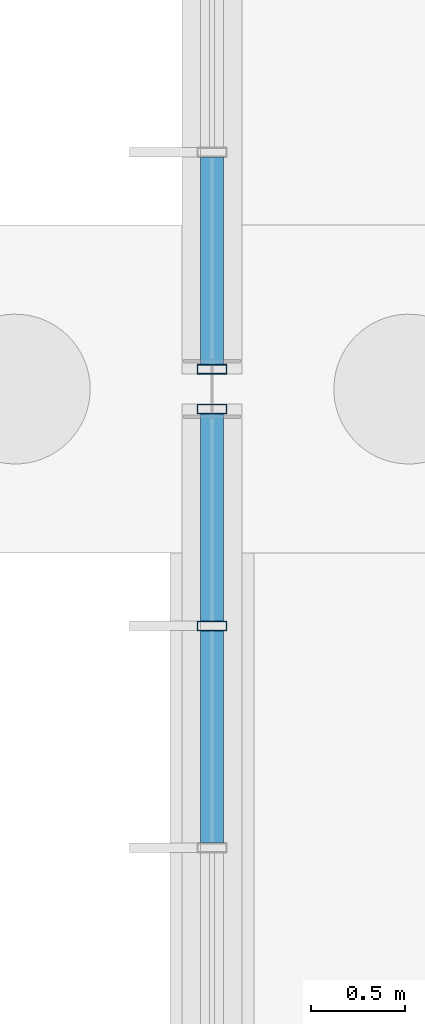
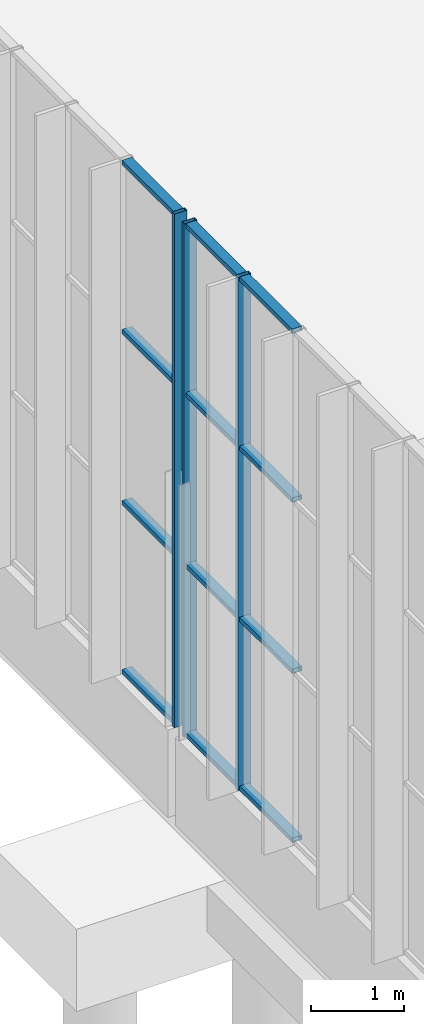
# One storey, part 46 of 136: 15 members, 2 elements without a shape of their own.
"""IFC4 building model written with IfcOpenShell, lengths in metres."""

from ifc_helpers import new_model, si_unit, direction, frame, origin, origin_2d, place, context, subcontext, project, spatial, hollow_rectangle, extrude, material, layer, layer_set, material_profile, profile_set, type_object, element, aggregate, save


model = new_model("IFC4")

# Units and contexts
model_context = context("Model", 3, precision=1e-05, world=origin(), true_north=direction((0.0, 1.0)))
body_context = subcontext(model_context, "Body", "Model", "MODEL_VIEW")
ifc_project = project(units=[si_unit("LENGTHUNIT", "METRE"), si_unit("AREAUNIT", "SQUARE_METRE"), si_unit("VOLUMEUNIT", "CUBIC_METRE"), si_unit("PLANEANGLEUNIT", "RADIAN"), si_unit("MASSUNIT", "GRAM", prefix="KILO")], contexts=[model_context])

# Site, building, storey
site_placement = place(None, origin())
site = spatial("IfcSite", under=ifc_project, at=site_placement, CompositionType="ELEMENT")
building_placement = place(site_placement, origin())
building = spatial("IfcBuilding", under=site, at=building_placement, Name="Solvenia Promenade Tram Depot", CompositionType="ELEMENT")
storey_placement = place(building_placement, origin())
storey = spatial("IfcBuildingStorey", under=building, at=storey_placement, Name="L00", CompositionType="ELEMENT", Elevation=0.0)

# Curtain wall, members
ifc_material = material(Name="Anodized aluminium AW-6063 T6", Category="aluminium")
ifc_layer = layer(ifc_material, 0.159912109375, Name="Anodized aluminium AW-6063 T6", Category="aluminium")
ifc_layer_set = layer_set([ifc_layer], Name="Anodized aluminium AW-6063 T6")
curtain_wall_type = type_object("IfcCurtainWallType", Name="CW-Channel-1200", PredefinedType="NOTDEFINED", material=ifc_layer_set)
curtain_wall_1_placement = place(storey_placement, origin())
curtain_wall_1 = element("IfcCurtainWall", 1, at=curtain_wall_1_placement, inside=storey, type_object=curtain_wall_type, Name="Curtain Wall CW-V1W-02", PredefinedType="NOTDEFINED")
ifc_material_profile_1 = material_profile(ifc_material, hollow_rectangle(XDim=0.159912109375, YDim=0.052001953125, WallThickness=0.00390625, at=origin_2d()), Name="ALU-M1", Category="aluminium")
ifc_profile_set_1 = profile_set([ifc_material_profile_1], Name="Anodized aluminium AW-6063 T6")
member_type_1 = type_object("IfcMemberType", Name="CWM-Mullion-1", PredefinedType="MULLION", material=ifc_profile_set_1)
member_1_placement = place(storey_placement, frame((0.0, 76.736083984375, 1.14990234375), z_axis=(0.0, 0.0, 1.0), x_axis=(-1.0, 0.0, 0.0)))
member_1 = element("IfcMember", 2, at=member_1_placement, type_object=member_type_1, Name="CW-1 mullion 5", PredefinedType="MULLION", context=body_context, shape_type="SweptSolid", body=[
    extrude(hollow_rectangle(XDim=0.159912109375, YDim=0.052001953125, WallThickness=0.00390625, at=origin_2d()), origin(), (0.0, 0.0, 1.0), 6.75),
])
member_2_placement = place(storey_placement, frame((0.0, 77.89404296875, 1.14990234375), z_axis=(0.0, 0.0, 1.0), x_axis=(-1.0, 0.0, 0.0)))
member_2 = element("IfcMember", 3, at=member_2_placement, type_object=member_type_1, Name="CW-1 mullion 6", PredefinedType="MULLION", context=body_context, shape_type="SweptSolid", body=[
    extrude(hollow_rectangle(XDim=0.159912109375, YDim=0.052001953125, WallThickness=0.00390625, at=origin_2d()), origin(), (0.0, 0.0, 1.0), 6.75),
])

# Curtain wall, member
curtain_wall_2_placement = place(storey_placement, origin())
curtain_wall_2 = element("IfcCurtainWall", 4, at=curtain_wall_2_placement, inside=storey, type_object=curtain_wall_type, Name="Curtain Wall CW-V1W-03", PredefinedType="NOTDEFINED")
member_3_placement = place(storey_placement, frame((0.0, 78.10595703125, 1.14990234375), z_axis=(0.0, 0.0, 1.0), x_axis=(-1.0, 0.0, 0.0)))
member_3 = element("IfcMember", 5, at=member_3_placement, type_object=member_type_1, Name="CW-1 mullion 1", PredefinedType="MULLION", context=body_context, shape_type="SweptSolid", body=[
    extrude(hollow_rectangle(XDim=0.159912109375, YDim=0.052001953125, WallThickness=0.00390625, at=origin_2d()), origin(), (0.0, 0.0, 1.0), 6.75),
])

# Member
ifc_material_profile_2 = material_profile(ifc_material, hollow_rectangle(XDim=0.1201171875, YDim=0.06005859375, WallThickness=0.00390625, at=origin_2d()), Name="ALU-T1", Category="aluminium")
ifc_profile_set_2 = profile_set([ifc_material_profile_2], Name="Anodized aluminium AW-6063 T6")
member_type_2 = type_object("IfcMemberType", Name="CWT-Transom-1", PredefinedType="USERDEFINED", material=ifc_profile_set_2)
member_4_placement = place(storey_placement, frame((0.0, 75.577880859375, 1.179931640625), z_axis=(0.0, 1.0, 0.0), x_axis=(-1.0, 0.0, 0.0)))
member_4 = element("IfcMember", 6, at=member_4_placement, type_object=member_type_2, Name="CW-1 transom 4.1", ObjectType="TRANSOM", PredefinedType="USERDEFINED", context=body_context, shape_type="SweptSolid", body=[
    extrude(hollow_rectangle(XDim=0.1201171875, YDim=0.06005859375, WallThickness=0.00390625, at=origin_2d()), origin(), (0.0, 0.0, 1.0), 1.132080078125),
])

member_5_placement = place(storey_placement, frame((0.0, 75.577880859375, 3.39990234375), z_axis=(0.0, 1.0, 0.0), x_axis=(-1.0, 0.0, 0.0)))
member_5 = element("IfcMember", 7, at=member_5_placement, type_object=member_type_2, Name="CW-1 transom 4.2", ObjectType="TRANSOM", PredefinedType="USERDEFINED", context=body_context, shape_type="SweptSolid", body=[
    extrude(hollow_rectangle(XDim=0.1201171875, YDim=0.06005859375, WallThickness=0.00390625, at=origin_2d()), origin(), (0.0, 0.0, 1.0), 1.132080078125),
])

member_6_placement = place(storey_placement, frame((0.0, 75.577880859375, 5.64990234375), z_axis=(0.0, 1.0, 0.0), x_axis=(-1.0, 0.0, 0.0)))
member_6 = element("IfcMember", 8, at=member_6_placement, type_object=member_type_2, Name="CW-1 transom 4.3", ObjectType="TRANSOM", PredefinedType="USERDEFINED", context=body_context, shape_type="SweptSolid", body=[
    extrude(hollow_rectangle(XDim=0.1201171875, YDim=0.06005859375, WallThickness=0.00390625, at=origin_2d()), origin(), (0.0, 0.0, 1.0), 1.132080078125),
])

member_7_placement = place(storey_placement, frame((0.0, 75.577880859375, 7.8701171875), z_axis=(0.0, 1.0, 0.0), x_axis=(-1.0, 0.0, 0.0)))
member_7 = element("IfcMember", 9, at=member_7_placement, type_object=member_type_2, Name="CW-1 transom 4.4", ObjectType="TRANSOM", PredefinedType="USERDEFINED", context=body_context, shape_type="SweptSolid", body=[
    extrude(hollow_rectangle(XDim=0.1201171875, YDim=0.06005859375, WallThickness=0.00390625, at=origin_2d()), origin(), (0.0, 0.0, 1.0), 1.132080078125),
])

member_8_placement = place(storey_placement, frame((0.0, 76.761962890625, 1.179931640625), z_axis=(0.0, 1.0, 0.0), x_axis=(-1.0, 0.0, 0.0)))
member_8 = element("IfcMember", 10, at=member_8_placement, type_object=member_type_2, Name="CW-1 transom 5.1", ObjectType="TRANSOM", PredefinedType="USERDEFINED", context=body_context, shape_type="SweptSolid", body=[
    extrude(hollow_rectangle(XDim=0.1201171875, YDim=0.06005859375, WallThickness=0.00390625, at=origin_2d()), origin(), (0.0, 0.0, 1.0), 1.10595703125),
])

member_9_placement = place(storey_placement, frame((0.0, 76.761962890625, 3.39990234375), z_axis=(0.0, 1.0, 0.0), x_axis=(-1.0, 0.0, 0.0)))
member_9 = element("IfcMember", 11, at=member_9_placement, type_object=member_type_2, Name="CW-1 transom 5.2", ObjectType="TRANSOM", PredefinedType="USERDEFINED", context=body_context, shape_type="SweptSolid", body=[
    extrude(hollow_rectangle(XDim=0.1201171875, YDim=0.06005859375, WallThickness=0.00390625, at=origin_2d()), origin(), (0.0, 0.0, 1.0), 1.10595703125),
])

member_10_placement = place(storey_placement, frame((0.0, 76.761962890625, 5.64990234375), z_axis=(0.0, 1.0, 0.0), x_axis=(-1.0, 0.0, 0.0)))
member_10 = element("IfcMember", 12, at=member_10_placement, type_object=member_type_2, Name="CW-1 transom 5.3", ObjectType="TRANSOM", PredefinedType="USERDEFINED", context=body_context, shape_type="SweptSolid", body=[
    extrude(hollow_rectangle(XDim=0.1201171875, YDim=0.06005859375, WallThickness=0.00390625, at=origin_2d()), origin(), (0.0, 0.0, 1.0), 1.10595703125),
])

member_11_placement = place(storey_placement, frame((0.0, 76.761962890625, 7.8701171875), z_axis=(0.0, 1.0, 0.0), x_axis=(-1.0, 0.0, 0.0)))
member_11 = element("IfcMember", 13, at=member_11_placement, type_object=member_type_2, Name="CW-1 transom 5.4", ObjectType="TRANSOM", PredefinedType="USERDEFINED", context=body_context, shape_type="SweptSolid", body=[
    extrude(hollow_rectangle(XDim=0.1201171875, YDim=0.06005859375, WallThickness=0.00390625, at=origin_2d()), origin(), (0.0, 0.0, 1.0), 1.10595703125),
])

aggregate(curtain_wall_1, [member_1, member_2, member_4, member_5, member_6, member_7, member_8, member_9, member_10, member_11])

member_12_placement = place(storey_placement, frame((0.0, 78.132080078125, 1.179931640625), z_axis=(0.0, 1.0, 0.0), x_axis=(-1.0, 0.0, 0.0)))
member_12 = element("IfcMember", 14, at=member_12_placement, type_object=member_type_2, Name="CW-1 transom 1.1", ObjectType="TRANSOM", PredefinedType="USERDEFINED", context=body_context, shape_type="SweptSolid", body=[
    extrude(hollow_rectangle(XDim=0.1201171875, YDim=0.06005859375, WallThickness=0.00390625, at=origin_2d()), origin(), (0.0, 0.0, 1.0), 1.10595703125),
])

member_13_placement = place(storey_placement, frame((0.0, 78.132080078125, 3.39990234375), z_axis=(0.0, 1.0, 0.0), x_axis=(-1.0, 0.0, 0.0)))
member_13 = element("IfcMember", 15, at=member_13_placement, type_object=member_type_2, Name="CW-1 transom 1.2", ObjectType="TRANSOM", PredefinedType="USERDEFINED", context=body_context, shape_type="SweptSolid", body=[
    extrude(hollow_rectangle(XDim=0.1201171875, YDim=0.06005859375, WallThickness=0.00390625, at=origin_2d()), origin(), (0.0, 0.0, 1.0), 1.10595703125),
])

member_14_placement = place(storey_placement, frame((0.0, 78.132080078125, 5.64990234375), z_axis=(0.0, 1.0, 0.0), x_axis=(-1.0, 0.0, 0.0)))
member_14 = element("IfcMember", 16, at=member_14_placement, type_object=member_type_2, Name="CW-1 transom 1.3", ObjectType="TRANSOM", PredefinedType="USERDEFINED", context=body_context, shape_type="SweptSolid", body=[
    extrude(hollow_rectangle(XDim=0.1201171875, YDim=0.06005859375, WallThickness=0.00390625, at=origin_2d()), origin(), (0.0, 0.0, 1.0), 1.10595703125),
])

member_15_placement = place(storey_placement, frame((0.0, 78.132080078125, 7.8701171875), z_axis=(0.0, 1.0, 0.0), x_axis=(-1.0, 0.0, 0.0)))
member_15 = element("IfcMember", 17, at=member_15_placement, type_object=member_type_2, Name="CW-1 transom 1.4", ObjectType="TRANSOM", PredefinedType="USERDEFINED", context=body_context, shape_type="SweptSolid", body=[
    extrude(hollow_rectangle(XDim=0.1201171875, YDim=0.06005859375, WallThickness=0.00390625, at=origin_2d()), origin(), (0.0, 0.0, 1.0), 1.10595703125),
])

aggregate(curtain_wall_2, [member_3, member_12, member_13, member_14, member_15])

save(model, "model.ifc")
